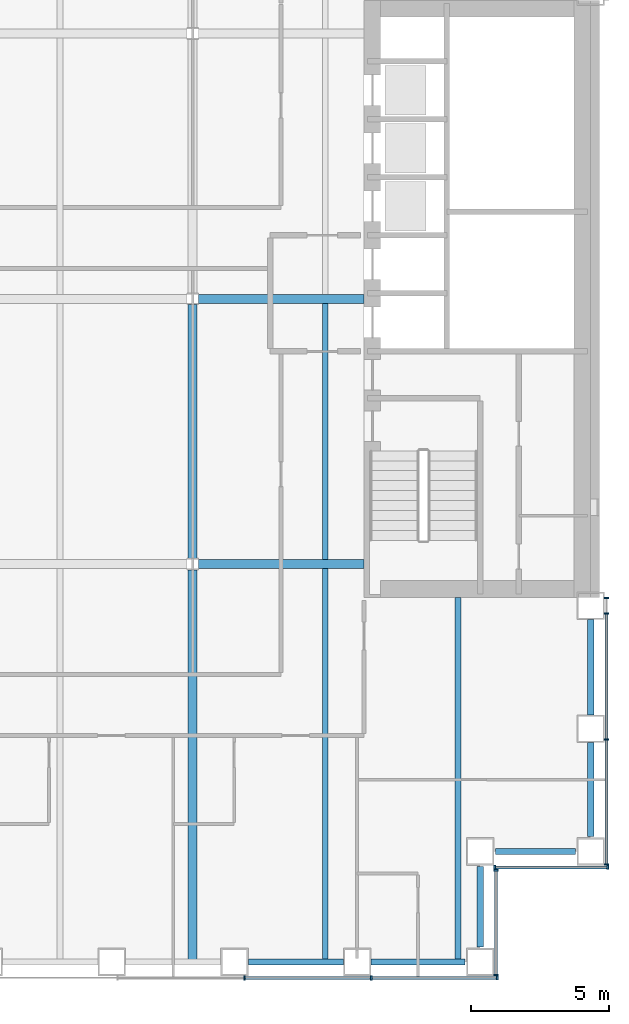
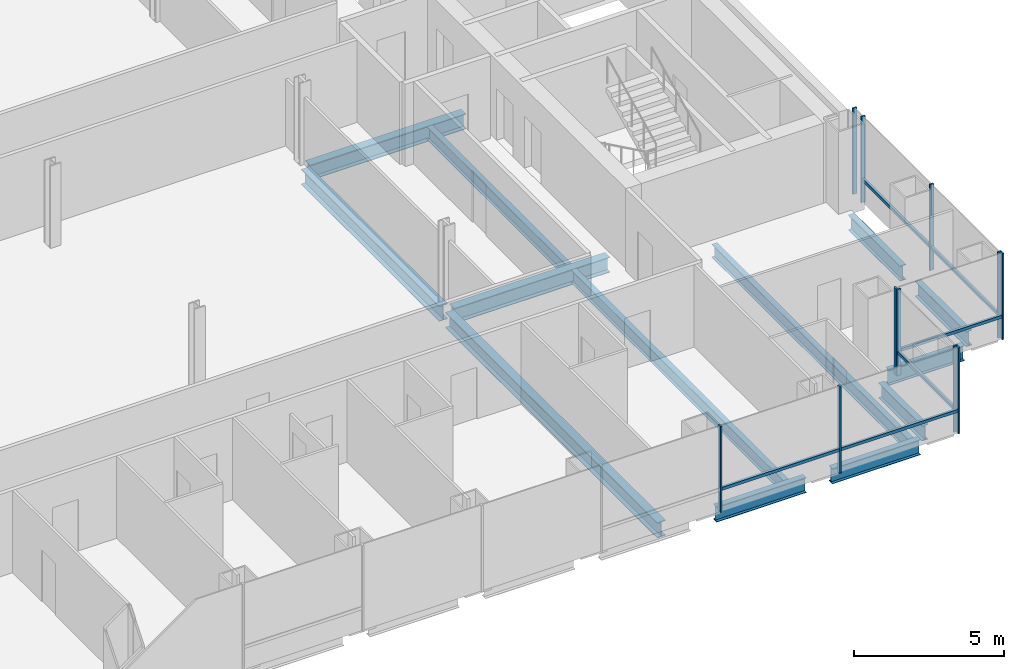
# One storey, part 5 of 21: 17 members, 13 beams, 4 elements without a shape of their own.
"""IFC4 building model written with IfcOpenShell, lengths in metres."""

from ifc_helpers import new_model, si_unit, direction, frame, origin, origin_2d, place, context, subcontext, project, spatial, rectangle, i_section, extrude, material, material_profile, profile_set, type_object, element, aggregate, save


model = new_model("IFC4")

# Units and contexts
model_context = context("Model", 3, precision=1e-05, world=origin(), true_north=direction((0.0, 1.0)))
body_context = subcontext(model_context, "Body", "Model", "MODEL_VIEW")
ifc_project = project(units=[si_unit("LENGTHUNIT", "METRE"), si_unit("AREAUNIT", "SQUARE_METRE"), si_unit("VOLUMEUNIT", "CUBIC_METRE"), si_unit("PLANEANGLEUNIT", "RADIAN"), si_unit("MASSUNIT", "GRAM", prefix="KILO")], contexts=[model_context])

# Site, building, storey
site_placement = place(None, origin())
site = spatial("IfcSite", under=ifc_project, at=site_placement, CompositionType="ELEMENT")
building_placement = place(site_placement, origin())
building = spatial("IfcBuilding", under=site, at=building_placement, Name="Cobrizo Arcos Hotel Tower", CompositionType="ELEMENT")
storey_placement = place(building_placement, frame((0.0, 0.0, 42.5)))
storey = spatial("IfcBuildingStorey", under=building, at=storey_placement, Name="L08", CompositionType="ELEMENT", Elevation=42.5)

# Curtain wall, members
ifc_material_1 = material(Name="Aluminium 6063-T6 anodised bronze", Category="aluminium")
curtain_wall_type = type_object("IfcCurtainWallType", Name="CW-A guest facade", PredefinedType="NOTDEFINED", material=ifc_material_1)
curtain_wall_1_placement = place(storey_placement, origin())
curtain_wall_1 = element("IfcCurtainWall", 1, at=curtain_wall_1_placement, inside=storey, type_object=curtain_wall_type, Name="CW-A L08 S face", PredefinedType="NOTDEFINED")
ifc_material_profile_1 = material_profile(ifc_material_1, rectangle(XDim=0.14990234375, YDim=0.06005859375, at=origin_2d()), Name="CW-A mullion 150x60")
ifc_profile_set_1 = profile_set([ifc_material_profile_1], Name="Aluminium 6063-T6 anodised bronze")
member_type_1 = type_object("IfcMemberType", Name="CW-A mullion 150x60", PredefinedType="MULLION", material=ifc_profile_set_1)
member_1_placement = place(storey_placement, frame((11.47216796875, -24.574951171875, 0.0), z_axis=(0.0, 0.0, 1.0), x_axis=(0.0, -1.0, 0.0)))
member_1 = element("IfcMember", 2, at=member_1_placement, type_object=member_type_1, Name="CW-A mullion 8", PredefinedType="MULLION", context=body_context, shape_type="SweptSolid", body=[
    extrude(rectangle(XDim=0.14990234375, YDim=0.06005859375, at=origin_2d()), origin(), (0.0, 0.0, 1.0), 3.5),
])
member_2_placement = place(storey_placement, frame((16.06103515625, -24.574951171875, 0.0), z_axis=(0.0, 0.0, 1.0), x_axis=(0.0, -1.0, 0.0)))
member_2 = element("IfcMember", 3, at=member_2_placement, type_object=member_type_1, Name="CW-A mullion 9", PredefinedType="MULLION", context=body_context, shape_type="SweptSolid", body=[
    extrude(rectangle(XDim=0.14990234375, YDim=0.06005859375, at=origin_2d()), origin(), (0.0, 0.0, 1.0), 3.5),
])
member_3_placement = place(storey_placement, frame((20.6201171875, -24.574951171875, 0.0), z_axis=(0.0, 0.0, 1.0), x_axis=(0.0, -1.0, 0.0)))
member_3 = element("IfcMember", 4, at=member_3_placement, type_object=member_type_1, Name="CW-A mullion 10", PredefinedType="MULLION", context=body_context, shape_type="SweptSolid", body=[
    extrude(rectangle(XDim=0.14990234375, YDim=0.06005859375, at=origin_2d()), origin(), (0.0, 0.0, 1.0), 3.5),
])

curtain_wall_2_placement = place(storey_placement, origin())
curtain_wall_2 = element("IfcCurtainWall", 5, at=curtain_wall_2_placement, inside=storey, type_object=curtain_wall_type, Name="CW-A L08 E face", PredefinedType="NOTDEFINED")
member_4_placement = place(storey_placement, frame((20.574951171875, -24.469970703125, 0.0), z_axis=(0.0, 0.0, 1.0), x_axis=(1.0, 0.0, 0.0)))
member_4 = element("IfcMember", 6, at=member_4_placement, type_object=member_type_1, Name="CW-A mullion 1", PredefinedType="MULLION", context=body_context, shape_type="SweptSolid", body=[
    extrude(rectangle(XDim=0.14990234375, YDim=0.06005859375, at=origin_2d()), origin(), (0.0, 0.0, 1.0), 3.5),
])
member_5_placement = place(storey_placement, frame((20.574951171875, -20.679931640625, 0.0), z_axis=(0.0, 0.0, 1.0), x_axis=(1.0, 0.0, 0.0)))
member_5 = element("IfcMember", 7, at=member_5_placement, type_object=member_type_1, Name="CW-A mullion 2", PredefinedType="MULLION", context=body_context, shape_type="SweptSolid", body=[
    extrude(rectangle(XDim=0.14990234375, YDim=0.06005859375, at=origin_2d()), origin(), (0.0, 0.0, 1.0), 3.5),
])

curtain_wall_3_placement = place(storey_placement, origin())
curtain_wall_3 = element("IfcCurtainWall", 8, at=curtain_wall_3_placement, inside=storey, type_object=curtain_wall_type, Name="CW-A L08 S face", PredefinedType="NOTDEFINED")
member_6_placement = place(storey_placement, frame((20.530029296875, -20.574951171875, 0.0), z_axis=(0.0, 0.0, 1.0), x_axis=(0.0, -1.0, 0.0)))
member_6 = element("IfcMember", 9, at=member_6_placement, type_object=member_type_1, Name="CW-A mullion 1", PredefinedType="MULLION", context=body_context, shape_type="SweptSolid", body=[
    extrude(rectangle(XDim=0.14990234375, YDim=0.06005859375, at=origin_2d()), origin(), (0.0, 0.0, 1.0), 3.5),
])
member_7_placement = place(storey_placement, frame((24.6201171875, -20.574951171875, 0.0), z_axis=(0.0, 0.0, 1.0), x_axis=(0.0, -1.0, 0.0)))
member_7 = element("IfcMember", 10, at=member_7_placement, type_object=member_type_1, Name="CW-A mullion 2", PredefinedType="MULLION", context=body_context, shape_type="SweptSolid", body=[
    extrude(rectangle(XDim=0.14990234375, YDim=0.06005859375, at=origin_2d()), origin(), (0.0, 0.0, 1.0), 3.5),
])

curtain_wall_4_placement = place(storey_placement, origin())
curtain_wall_4 = element("IfcCurtainWall", 11, at=curtain_wall_4_placement, inside=storey, type_object=curtain_wall_type, Name="CW-A L08 E face", PredefinedType="NOTDEFINED")
member_8_placement = place(storey_placement, frame((24.574951171875, -20.469970703125, 0.0), z_axis=(0.0, 0.0, 1.0), x_axis=(1.0, 0.0, 0.0)))
member_8 = element("IfcMember", 12, at=member_8_placement, type_object=member_type_1, Name="CW-A mullion 1", PredefinedType="MULLION", context=body_context, shape_type="SweptSolid", body=[
    extrude(rectangle(XDim=0.14990234375, YDim=0.06005859375, at=origin_2d()), origin(), (0.0, 0.0, 1.0), 3.5),
])
member_9_placement = place(storey_placement, frame((24.574951171875, -15.9443359375, 0.0), z_axis=(0.0, 0.0, 1.0), x_axis=(1.0, 0.0, 0.0)))
member_9 = element("IfcMember", 13, at=member_9_placement, type_object=member_type_1, Name="CW-A mullion 2", PredefinedType="MULLION", context=body_context, shape_type="SweptSolid", body=[
    extrude(rectangle(XDim=0.14990234375, YDim=0.06005859375, at=origin_2d()), origin(), (0.0, 0.0, 1.0), 3.5),
])
member_10_placement = place(storey_placement, frame((24.574951171875, -11.388916015625, 0.0), z_axis=(0.0, 0.0, 1.0), x_axis=(1.0, 0.0, 0.0)))
member_10 = element("IfcMember", 14, at=member_10_placement, type_object=member_type_1, Name="CW-A mullion 3", PredefinedType="MULLION", context=body_context, shape_type="SweptSolid", body=[
    extrude(rectangle(XDim=0.14990234375, YDim=0.06005859375, at=origin_2d()), origin(), (0.0, 0.0, 1.0), 3.5),
])
member_11_placement = place(storey_placement, frame((24.574951171875, -10.830078125, 0.0), z_axis=(0.0, 0.0, 1.0), x_axis=(1.0, 0.0, 0.0)))
member_11 = element("IfcMember", 15, at=member_11_placement, type_object=member_type_1, Name="CW-A mullion 4", PredefinedType="MULLION", context=body_context, shape_type="SweptSolid", body=[
    extrude(rectangle(XDim=0.14990234375, YDim=0.06005859375, at=origin_2d()), origin(), (0.0, 0.0, 1.0), 3.5),
])

# Member
ifc_material_profile_2 = material_profile(ifc_material_1, rectangle(XDim=0.10009765625, YDim=0.1201171875, at=origin_2d()), Name="CW-A transom 120x100")
ifc_profile_set_2 = profile_set([ifc_material_profile_2], Name="Aluminium 6063-T6 anodised bronze")
member_type_2 = type_object("IfcMemberType", Name="CW-A transom 120x100", PredefinedType="USERDEFINED", material=ifc_profile_set_2)
member_12_placement = place(storey_placement, frame((11.502197265625, -24.574951171875, 0.929931640625), z_axis=(1.0, 0.0, 0.0), x_axis=(0.0, 1.0, 0.0)))
member_12 = element("IfcMember", 16, at=member_12_placement, type_object=member_type_2, Name="CW-A transom 406", ObjectType="TRANSOM", PredefinedType="USERDEFINED", context=body_context, shape_type="SweptSolid", body=[
    extrude(rectangle(XDim=0.10009765625, YDim=0.1201171875, at=origin_2d()), origin(), (0.0, 0.0, 1.0), 4.52880859375),
])

member_13_placement = place(storey_placement, frame((16.091064453125, -24.574951171875, 0.929931640625), z_axis=(1.0, 0.0, 0.0), x_axis=(0.0, 1.0, 0.0)))
member_13 = element("IfcMember", 17, at=member_13_placement, type_object=member_type_2, Name="CW-A transom 407", ObjectType="TRANSOM", PredefinedType="USERDEFINED", context=body_context, shape_type="SweptSolid", body=[
    extrude(rectangle(XDim=0.10009765625, YDim=0.1201171875, at=origin_2d()), origin(), (0.0, 0.0, 1.0), 4.4990234375),
])

aggregate(curtain_wall_1, [member_1, member_2, member_3, member_12, member_13])

member_14_placement = place(storey_placement, frame((20.574951171875, -24.43994140625, 0.929931640625), z_axis=(0.0, 1.0, 0.0), x_axis=(-1.0, 0.0, 0.0)))
member_14 = element("IfcMember", 18, at=member_14_placement, type_object=member_type_2, Name="CW-A transom 408", ObjectType="TRANSOM", PredefinedType="USERDEFINED", context=body_context, shape_type="SweptSolid", body=[
    extrude(rectangle(XDim=0.10009765625, YDim=0.1201171875, at=origin_2d()), origin(), (0.0, 0.0, 1.0), 3.72998046875),
])

aggregate(curtain_wall_2, [member_4, member_5, member_14])

member_15_placement = place(storey_placement, frame((20.56005859375, -20.574951171875, 0.929931640625), z_axis=(1.0, 0.0, 0.0), x_axis=(0.0, 1.0, 0.0)))
member_15 = element("IfcMember", 19, at=member_15_placement, type_object=member_type_2, Name="CW-A transom 409", ObjectType="TRANSOM", PredefinedType="USERDEFINED", context=body_context, shape_type="SweptSolid", body=[
    extrude(rectangle(XDim=0.10009765625, YDim=0.1201171875, at=origin_2d()), origin(), (0.0, 0.0, 1.0), 4.030029296875),
])

aggregate(curtain_wall_3, [member_6, member_7, member_15])

member_16_placement = place(storey_placement, frame((24.574951171875, -20.43994140625, 0.929931640625), z_axis=(0.0, 1.0, 0.0), x_axis=(-1.0, 0.0, 0.0)))
member_16 = element("IfcMember", 20, at=member_16_placement, type_object=member_type_2, Name="CW-A transom 410", ObjectType="TRANSOM", PredefinedType="USERDEFINED", context=body_context, shape_type="SweptSolid", body=[
    extrude(rectangle(XDim=0.10009765625, YDim=0.1201171875, at=origin_2d()), origin(), (0.0, 0.0, 1.0), 4.465576171875),
])

member_17_placement = place(storey_placement, frame((24.574951171875, -15.91455078125, 0.929931640625), z_axis=(0.0, 1.0, 0.0), x_axis=(-1.0, 0.0, 0.0)))
member_17 = element("IfcMember", 21, at=member_17_placement, type_object=member_type_2, Name="CW-A transom 411", ObjectType="TRANSOM", PredefinedType="USERDEFINED", context=body_context, shape_type="SweptSolid", body=[
    extrude(rectangle(XDim=0.10009765625, YDim=0.1201171875, at=origin_2d()), origin(), (0.0, 0.0, 1.0), 4.49560546875),
])

aggregate(curtain_wall_4, [member_8, member_9, member_10, member_11, member_16, member_17])

# Beams
ifc_material_2 = material(Name="Steel ASTM A992 Grade 50", Category="steel")
ifc_material_profile_3 = material_profile(ifc_material_2, i_section(OverallWidth=0.209228515625, OverallDepth=0.533447265625, WebThickness=0.01025390625, FlangeThickness=0.015625, at=origin_2d()), Name="W21X62")
ifc_profile_set_3 = profile_set([ifc_material_profile_3], Name="Steel ASTM A992 Grade 50")
beam_type_1 = type_object("IfcBeamType", Name="W21X62 joist", PredefinedType="JOIST", material=ifc_profile_set_3)
beam_1_placement = place(storey_placement, frame((14.39990234375, -23.909912109375, -0.416748046875), z_axis=(0.0, 1.0, 0.0), x_axis=(-1.0, 0.0, 0.0)))
element("IfcBeam", 22, at=beam_1_placement, inside=storey, type_object=beam_type_1, Name="Floor joist J1, L08, no. 015", PredefinedType="JOIST", context=body_context, shape_type="SweptSolid", body=[
    extrude(i_section(OverallWidth=0.209228515625, OverallDepth=0.533447265625, WebThickness=0.01025390625, FlangeThickness=0.015625, at=origin_2d()), origin(), (0.0, 0.0, 1.0), 14.14599609375),
])
beam_2_placement = place(storey_placement, frame((14.39990234375, -9.43603515625, -0.416748046875), z_axis=(0.0, 1.0, 0.0), x_axis=(-1.0, 0.0, 0.0)))
element("IfcBeam", 23, at=beam_2_placement, inside=storey, type_object=beam_type_1, Name="Floor joist J1, L08, no. 016", PredefinedType="JOIST", context=body_context, shape_type="SweptSolid", body=[
    extrude(i_section(OverallWidth=0.209228515625, OverallDepth=0.533447265625, WebThickness=0.01025390625, FlangeThickness=0.015625, at=origin_2d()), origin(), (0.0, 0.0, 1.0), 9.272216796875),
])
beam_3_placement = place(storey_placement, frame((19.199951171875, -23.909912109375, -0.416748046875), z_axis=(0.0, 1.0, 0.0), x_axis=(-1.0, 0.0, 0.0)))
element("IfcBeam", 24, at=beam_3_placement, inside=storey, type_object=beam_type_1, Name="Floor joist J1, L08, no. 019", PredefinedType="JOIST", context=body_context, shape_type="SweptSolid", body=[
    extrude(i_section(OverallWidth=0.209228515625, OverallDepth=0.533447265625, WebThickness=0.01025390625, FlangeThickness=0.015625, at=origin_2d()), origin(), (0.0, 0.0, 1.0), 13.099853515625),
])
ifc_material_profile_4 = material_profile(ifc_material_2, i_section(OverallWidth=0.32763671875, OverallDepth=0.622314453125, WebThickness=0.015380859375, FlangeThickness=0.0244140625, at=origin_2d()), Name="W24X131")
ifc_profile_set_4 = profile_set([ifc_material_profile_4], Name="Steel ASTM A992 Grade 50")
beam_type_2 = type_object("IfcBeamType", Name="W24X131 girder", PredefinedType="BEAM", material=ifc_profile_set_4)
for number, where, z_axis, x_axis, name in (
    (25, (9.804443359375, -9.60009765625, -0.461181640625), (1.0, 0.0, 0.0), (0.0, 1.0, 0.0), "Floor girder G1, L08, no. 004"),
    (26, (9.804443359375, 0.0, -0.461181640625), (1.0, 0.0, 0.0), (0.0, 1.0, 0.0), "Floor girder G1, L08, no. 008"),
):
    element("IfcBeam", number, at=place(storey_placement, frame(where, z_axis=z_axis, x_axis=x_axis)), inside=storey, type_object=beam_type_2, Name=name, PredefinedType="BEAM", context=body_context, shape_type="SweptSolid", body=[
        extrude(i_section(OverallWidth=0.32763671875, OverallDepth=0.622314453125, WebThickness=0.015380859375, FlangeThickness=0.0244140625, at=origin_2d()), origin(), (0.0, 0.0, 1.0), 5.985595703125),
    ])
beam_4_placement = place(storey_placement, frame((9.60009765625, -23.909912109375, -0.461181640625), z_axis=(0.0, 1.0, 0.0), x_axis=(-1.0, 0.0, 0.0)))
element("IfcBeam", 27, at=beam_4_placement, inside=storey, type_object=beam_type_2, Name="Floor girder G1, L08, no. 021", PredefinedType="BEAM", context=body_context, shape_type="SweptSolid", body=[
    extrude(i_section(OverallWidth=0.32763671875, OverallDepth=0.622314453125, WebThickness=0.015380859375, FlangeThickness=0.0244140625, at=origin_2d()), origin(), (0.0, 0.0, 1.0), 14.10546875),
])
beam_5_placement = place(storey_placement, frame((9.60009765625, -9.3955078125, -0.461181640625), z_axis=(0.0, 1.0, 0.0), x_axis=(-1.0, 0.0, 0.0)))
element("IfcBeam", 28, at=beam_5_placement, inside=storey, type_object=beam_type_2, Name="Floor girder G1, L08, no. 022", PredefinedType="BEAM", context=body_context, shape_type="SweptSolid", body=[
    extrude(i_section(OverallWidth=0.32763671875, OverallDepth=0.622314453125, WebThickness=0.015380859375, FlangeThickness=0.0244140625, at=origin_2d()), origin(), (0.0, 0.0, 1.0), 9.191162109375),
])
ifc_material_profile_5 = material_profile(ifc_material_2, i_section(OverallWidth=0.23046875, OverallDepth=0.6171875, WebThickness=0.01318359375, FlangeThickness=0.022216796875, at=origin_2d()), Name="W24X94")
ifc_profile_set_5 = profile_set([ifc_material_profile_5], Name="Steel ASTM A992 Grade 50")
beam_type_3 = type_object("IfcBeamType", Name="W24X94 spandrel", PredefinedType="SPANDREL", material=ifc_profile_set_5)
beam_6_placement = place(storey_placement, frame((11.611083984375, -24.0, -0.45849609375), z_axis=(1.0, 0.0, 0.0), x_axis=(0.0, 1.0, 0.0)))
element("IfcBeam", 29, at=beam_6_placement, inside=storey, type_object=beam_type_3, Name="Spandrel beam W24X94, L08, no. 008", PredefinedType="SPANDREL", context=body_context, shape_type="SweptSolid", body=[
    extrude(i_section(OverallWidth=0.23046875, OverallDepth=0.6171875, WebThickness=0.01318359375, FlangeThickness=0.022216796875, at=origin_2d()), origin(), (0.0, 0.0, 1.0), 3.44482421875),
])
beam_7_placement = place(storey_placement, frame((16.055908203125, -24.0, -0.45849609375), z_axis=(1.0, 0.0, 0.0), x_axis=(0.0, 1.0, 0.0)))
element("IfcBeam", 30, at=beam_7_placement, inside=storey, type_object=beam_type_3, Name="Spandrel beam W24X94, L08, no. 009", PredefinedType="SPANDREL", context=body_context, shape_type="SweptSolid", body=[
    extrude(i_section(OverallWidth=0.23046875, OverallDepth=0.6171875, WebThickness=0.01318359375, FlangeThickness=0.022216796875, at=origin_2d()), origin(), (0.0, 0.0, 1.0), 3.39404296875),
])
for number, where, z_axis, x_axis, name in (
    (31, (20.0, -23.449951171875, -0.45849609375), (0.0, 1.0, 0.0), (-1.0, 0.0, 0.0), "Spandrel beam W24X94, L08, no. 010"),
    (32, (20.550048828125, -20.0, -0.45849609375), (1.0, 0.0, 0.0), (0.0, 1.0, 0.0), "Spandrel beam W24X94, L08, no. 011"),
):
    element("IfcBeam", number, at=place(storey_placement, frame(where, z_axis=z_axis, x_axis=x_axis)), inside=storey, type_object=beam_type_3, Name=name, PredefinedType="SPANDREL", context=body_context, shape_type="SweptSolid", body=[
        extrude(i_section(OverallWidth=0.23046875, OverallDepth=0.6171875, WebThickness=0.01318359375, FlangeThickness=0.022216796875, at=origin_2d()), origin(), (0.0, 0.0, 1.0), 2.89990234375),
    ])
beam_8_placement = place(storey_placement, frame((24.0, -19.449951171875, -0.45849609375), z_axis=(0.0, 1.0, 0.0), x_axis=(-1.0, 0.0, 0.0)))
element("IfcBeam", 33, at=beam_8_placement, inside=storey, type_object=beam_type_3, Name="Spandrel beam W24X94, L08, no. 012", PredefinedType="SPANDREL", context=body_context, shape_type="SweptSolid", body=[
    extrude(i_section(OverallWidth=0.23046875, OverallDepth=0.6171875, WebThickness=0.01318359375, FlangeThickness=0.022216796875, at=origin_2d()), origin(), (0.0, 0.0, 1.0), 3.39404296875),
])
beam_9_placement = place(storey_placement, frame((24.0, -15.055908203125, -0.45849609375), z_axis=(0.0, 1.0, 0.0), x_axis=(-1.0, 0.0, 0.0)))
element("IfcBeam", 34, at=beam_9_placement, inside=storey, type_object=beam_type_3, Name="Spandrel beam W24X94, L08, no. 013", PredefinedType="SPANDREL", context=body_context, shape_type="SweptSolid", body=[
    extrude(i_section(OverallWidth=0.23046875, OverallDepth=0.6171875, WebThickness=0.01318359375, FlangeThickness=0.022216796875, at=origin_2d()), origin(), (0.0, 0.0, 1.0), 3.44482421875),
])

save(model, "model.ifc")
